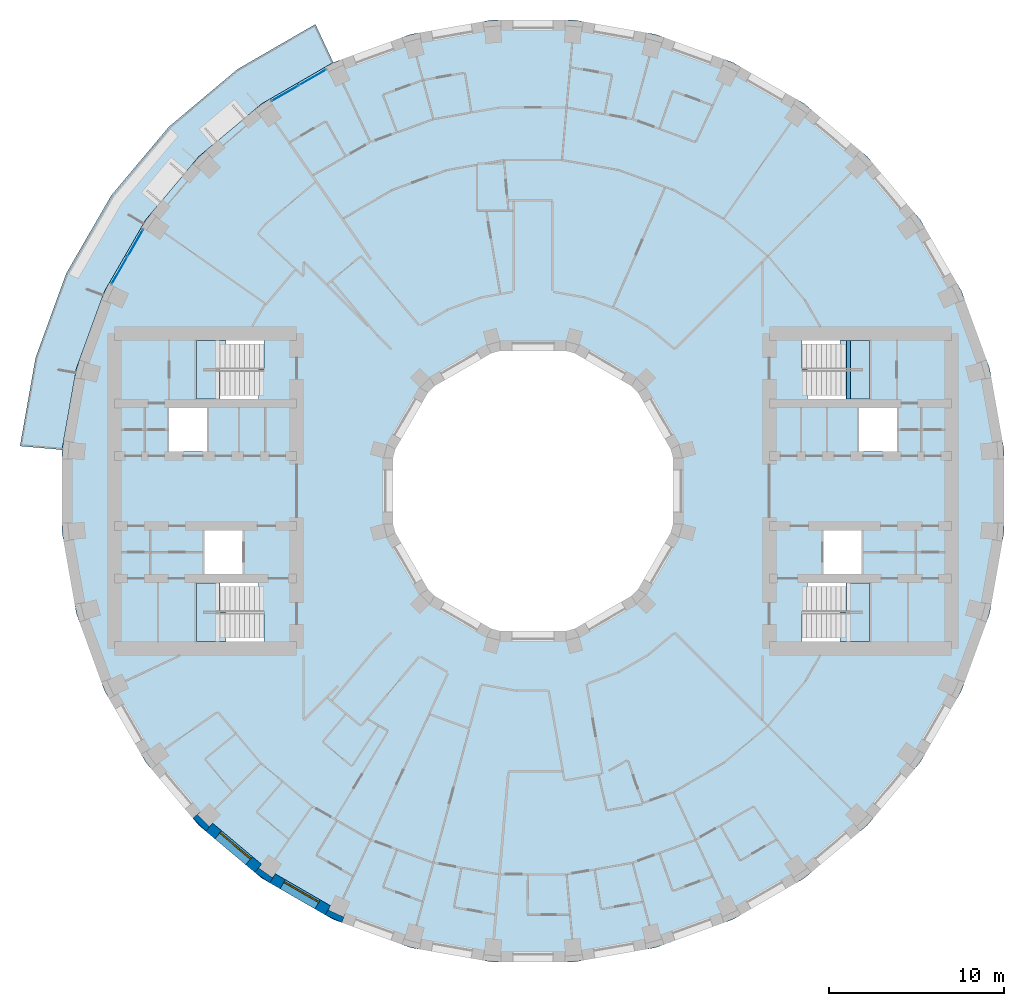
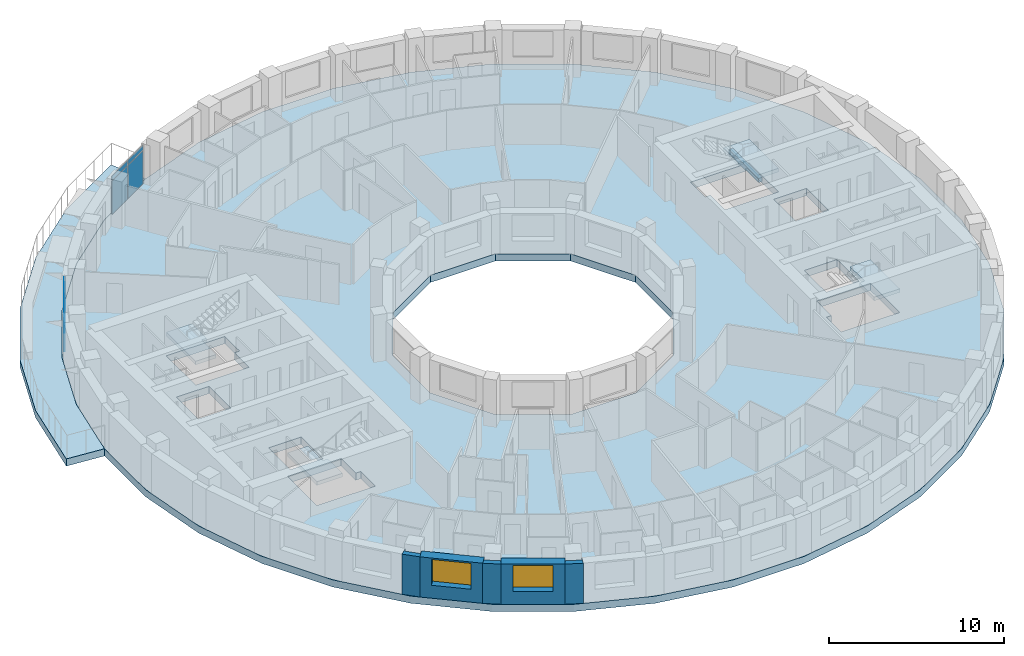
# One storey, part 3 of 14: 8 plates, 6 slabs, 5 walls, 2 windows, 1 beam, 2 openings, 6 elements without a shape of their own.
"""IFC4 building model written with IfcOpenShell, lengths in metres."""

from ifc_helpers import new_model, si_unit, direction, frame, frame_2d, origin, origin_2d, place, context, subcontext, project, spatial, polyline, rectangle, outline, extrude, material, layer, layer_set, material_profile, profile_set, type_object, element, fill, aggregate, save


model = new_model("IFC4")

# Units and contexts
model_context = context("Model", 3, precision=1e-05, world=origin(), true_north=direction((0.0, 1.0)))
body_context = subcontext(model_context, "Body", "Model", "MODEL_VIEW")
ifc_project = project(units=[si_unit("LENGTHUNIT", "METRE"), si_unit("AREAUNIT", "SQUARE_METRE"), si_unit("VOLUMEUNIT", "CUBIC_METRE"), si_unit("PLANEANGLEUNIT", "RADIAN"), si_unit("MASSUNIT", "GRAM", prefix="KILO")], contexts=[model_context])

# Site, building, storey
site_placement = place(None, origin())
site = spatial("IfcSite", under=ifc_project, at=site_placement, CompositionType="ELEMENT")
building_placement = place(site_placement, origin())
building = spatial("IfcBuilding", under=site, at=building_placement, Name="Saqina Gate Tower", CompositionType="ELEMENT")
storey_placement = place(building_placement, frame((0.0, 0.0, 101.800048828125)))
storey = spatial("IfcBuildingStorey", under=building, at=storey_placement, Name="L28", CompositionType="ELEMENT", Elevation=101.800048828125)

# Beam
ifc_material_1 = material(Name="Concrete C40/50", Category="concrete")
ifc_material_profile = material_profile(ifc_material_1, rectangle(XDim=0.25, YDim=0.300048828125, at=origin_2d()), Name="STAIR LANDING BEAM")
ifc_profile_set = profile_set([ifc_material_profile], Name="Concrete C40/50")
beam_type = type_object("IfcBeamType", Name="STAIR LANDING BEAM", PredefinedType="BEAM", material=ifc_profile_set)
beam_placement = place(storey_placement, frame((18.02001953125, 5.25, 1.25), z_axis=(0.0, 1.0, 0.0), x_axis=(-1.0, 0.0, 0.0)))
element("IfcBeam", 1, at=beam_placement, inside=storey, type_object=beam_type, Name="EXIT STAIR 1 LANDING BEAM", PredefinedType="BEAM", context=body_context, shape_type="SweptSolid", body=[
    extrude(rectangle(XDim=0.25, YDim=0.300048828125, at=origin_2d()), origin(), (0.0, 0.0, 1.0), 3.35009765625),
])

# Curtain wall, plates
ifc_material_2 = material(Name="Aluminium glazing", Category="aluminium")
ifc_layer_1 = layer(ifc_material_2, 0.159912109375)
ifc_layer_set_1 = layer_set([ifc_layer_1], Name="CWT-4")
curtain_wall_type = type_object("IfcCurtainWallType", Name="CWT-4", PredefinedType="NOTDEFINED", material=ifc_layer_set_1)
curtain_wall_1_placement = place(storey_placement, origin())
curtain_wall_1 = element("IfcCurtainWall", 2, at=curtain_wall_1_placement, inside=storey, type_object=curtain_wall_type, Name="Terrace lounge glazing facet 12", PredefinedType="NOTDEFINED")
ifc_material_3 = material(Name="Glass", Category="glass")
ifc_layer_2 = layer(ifc_material_3, 0.028076171875)
ifc_layer_set_2 = layer_set([ifc_layer_2], Name="CWT-4P")
plate_type = type_object("IfcPlateType", Name="CWT-4P", PredefinedType="CURTAIN_PANEL", material=ifc_layer_set_2)
plate_1_placement = place(storey_placement, frame((-12.596923828125, 23.6123046875, 0.059814453125), z_axis=(0.0, 0.0, 1.0), x_axis=(-0.86602626266, -0.499998512381, 0.0)))
plate_1 = element("IfcPlate", 3, at=plate_1_placement, type_object=plate_type, Name="CW4-12 panel 1.1", PredefinedType="CURTAIN_PANEL", context=body_context, shape_type="SweptSolid", body=[
    extrude(rectangle(XDim=1.73388671875, YDim=0.028076171875, at=origin_2d()), origin(), (0.0, 0.0, 1.0), 2.31005859375),
])
plate_2_placement = place(storey_placement, frame((-12.596923828125, 23.6123046875, 2.429931640625), z_axis=(0.0, 0.0, 1.0), x_axis=(-0.86602626266, -0.499998512381, 0.0)))
plate_2 = element("IfcPlate", 4, at=plate_2_placement, type_object=plate_type, Name="CW4-12 panel 1.2", PredefinedType="CURTAIN_PANEL", context=body_context, shape_type="SweptSolid", body=[
    extrude(rectangle(XDim=1.73388671875, YDim=0.028076171875, at=origin_2d()), origin(), (0.0, 0.0, 1.0), 0.31005859375),
])
plate_3_placement = place(storey_placement, frame((-14.150390625, 22.71533203125, 0.059814453125), z_axis=(0.0, 0.0, 1.0), x_axis=(-0.86602626266, -0.499998512381, 0.0)))
plate_3 = element("IfcPlate", 5, at=plate_3_placement, type_object=plate_type, Name="CW4-12 panel 2.1", PredefinedType="CURTAIN_PANEL", context=body_context, shape_type="SweptSolid", body=[
    extrude(rectangle(XDim=1.73388671875, YDim=0.028076171875, at=origin_2d()), origin(), (0.0, 0.0, 1.0), 2.31005859375),
])
plate_4_placement = place(storey_placement, frame((-14.150390625, 22.71533203125, 2.429931640625), z_axis=(0.0, 0.0, 1.0), x_axis=(-0.86602626266, -0.499998512381, 0.0)))
plate_4 = element("IfcPlate", 6, at=plate_4_placement, type_object=plate_type, Name="CW4-12 panel 2.2", PredefinedType="CURTAIN_PANEL", context=body_context, shape_type="SweptSolid", body=[
    extrude(rectangle(XDim=1.73388671875, YDim=0.028076171875, at=origin_2d()), origin(), (0.0, 0.0, 1.0), 0.31005859375),
])
aggregate(curtain_wall_1, [plate_1, plate_2, plate_3, plate_4])

curtain_wall_2_placement = place(storey_placement, origin())
curtain_wall_2 = element("IfcCurtainWall", 7, at=curtain_wall_2_placement, inside=storey, type_object=curtain_wall_type, Name="Terrace lounge glazing facet 15", PredefinedType="NOTDEFINED")
plate_5_placement = place(storey_placement, frame((-22.71533203125, 14.150390625, 0.059814453125), z_axis=(0.0, 0.0, 1.0), x_axis=(-0.499998512381, -0.86602626266, 0.0)))
plate_5 = element("IfcPlate", 8, at=plate_5_placement, type_object=plate_type, Name="CW4-15 panel 1.1", PredefinedType="CURTAIN_PANEL", context=body_context, shape_type="SweptSolid", body=[
    extrude(rectangle(XDim=1.73388671875, YDim=0.028076171875, at=origin_2d()), origin(), (0.0, 0.0, 1.0), 2.31005859375),
])
plate_6_placement = place(storey_placement, frame((-22.71533203125, 14.150390625, 2.429931640625), z_axis=(0.0, 0.0, 1.0), x_axis=(-0.499998512381, -0.86602626266, 0.0)))
plate_6 = element("IfcPlate", 9, at=plate_6_placement, type_object=plate_type, Name="CW4-15 panel 1.2", PredefinedType="CURTAIN_PANEL", context=body_context, shape_type="SweptSolid", body=[
    extrude(rectangle(XDim=1.73388671875, YDim=0.028076171875, at=origin_2d()), origin(), (0.0, 0.0, 1.0), 0.31005859375),
])
plate_7_placement = place(storey_placement, frame((-23.6123046875, 12.596923828125, 0.059814453125), z_axis=(0.0, 0.0, 1.0), x_axis=(-0.499998512381, -0.86602626266, 0.0)))
plate_7 = element("IfcPlate", 10, at=plate_7_placement, type_object=plate_type, Name="CW4-15 panel 2.1", PredefinedType="CURTAIN_PANEL", context=body_context, shape_type="SweptSolid", body=[
    extrude(rectangle(XDim=1.73388671875, YDim=0.028076171875, at=origin_2d()), origin(), (0.0, 0.0, 1.0), 2.31005859375),
])
plate_8_placement = place(storey_placement, frame((-23.6123046875, 12.596923828125, 2.429931640625), z_axis=(0.0, 0.0, 1.0), x_axis=(-0.499998512381, -0.86602626266, 0.0)))
plate_8 = element("IfcPlate", 11, at=plate_8_placement, type_object=plate_type, Name="CW4-15 panel 2.2", PredefinedType="CURTAIN_PANEL", context=body_context, shape_type="SweptSolid", body=[
    extrude(rectangle(XDim=1.73388671875, YDim=0.028076171875, at=origin_2d()), origin(), (0.0, 0.0, 1.0), 0.31005859375),
])
aggregate(curtain_wall_2, [plate_5, plate_6, plate_7, plate_8])

# Stair, slab
ifc_material_4 = material(Name="Concrete C40/50", Category="concrete")
stair_type = type_object("IfcStairType", Name="EXIT STAIR", PredefinedType="HALF_TURN_STAIR", material=ifc_material_4)
stair_1_placement = place(storey_placement, origin())
stair_1 = element("IfcStair", 12, at=stair_1_placement, inside=storey, type_object=stair_type, Name="EXIT STAIR 1", PredefinedType="HALF_TURN_STAIR")
ifc_material_5 = material(Name="Concrete C40/50", Category="concrete")
ifc_layer_3 = layer(ifc_material_5, 0.25)
ifc_layer_set_3 = layer_set([ifc_layer_3], Name="Concrete C40/50")
slab_type_1 = type_object("IfcSlabType", Name="EXIT STAIR LANDING", PredefinedType="LANDING", material=ifc_layer_set_3)
slab_1_placement = place(storey_placement, frame((0.0, 0.0, 1.39990234375)))
slab_1 = element("IfcSlab", 13, at=slab_1_placement, type_object=slab_type_1, Name="EXIT STAIR 1 LANDING 1", PredefinedType="LANDING", context=body_context, shape_type="SweptSolid", body=[
    extrude(outline(polyline([(19.219970703125, 8.60009765625), (19.219970703125, 5.25), (17.864990234375, 5.25), (17.864990234375, 6.925048828125), (17.534423828125, 6.925048828125), (17.534423828125, 8.60009765625), (17.864990234375, 8.60009765625), (17.8701171875, 8.60009765625), (19.219970703125, 8.60009765625)])), origin(), (0.0, 0.0, 1.0), 0.25),
])
aggregate(stair_1, [slab_1])

stair_2_placement = place(storey_placement, origin())
stair_2 = element("IfcStair", 14, at=stair_2_placement, inside=storey, type_object=stair_type, Name="EXIT STAIR 2", PredefinedType="HALF_TURN_STAIR")
slab_2_placement = place(storey_placement, frame((0.0, 0.0, 1.39990234375)))
slab_2 = element("IfcSlab", 15, at=slab_2_placement, type_object=slab_type_1, Name="EXIT STAIR 2 LANDING 1", PredefinedType="LANDING", context=body_context, shape_type="SweptSolid", body=[
    extrude(outline(polyline([(17.534423828125, -8.60009765625), (17.534423828125, -6.925048828125), (17.864990234375, -6.925048828125), (17.864990234375, -5.25), (19.219970703125, -5.25), (19.219970703125, -8.60009765625), (17.8701171875, -8.60009765625), (17.864990234375, -8.60009765625), (17.534423828125, -8.60009765625)])), origin(), (0.0, 0.0, 1.0), 0.25),
])
aggregate(stair_2, [slab_2])

stair_3_placement = place(storey_placement, origin())
stair_3 = element("IfcStair", 16, at=stair_3_placement, inside=storey, type_object=stair_type, Name="EXIT STAIR 3", PredefinedType="HALF_TURN_STAIR")
slab_3_placement = place(storey_placement, frame((0.0, 0.0, 1.39990234375)))
slab_3 = element("IfcSlab", 17, at=slab_3_placement, type_object=slab_type_1, Name="EXIT STAIR 3 LANDING 1", PredefinedType="LANDING", context=body_context, shape_type="SweptSolid", body=[
    extrude(outline(polyline([(-17.864990234375, 5.25), (-19.219970703125, 5.25), (-19.219970703125, 8.60009765625), (-17.8701171875, 8.60009765625), (-17.864990234375, 8.60009765625), (-17.534423828125, 8.60009765625), (-17.534423828125, 6.925048828125), (-17.864990234375, 6.925048828125), (-17.864990234375, 5.25)])), origin(), (0.0, 0.0, 1.0), 0.25),
])
aggregate(stair_3, [slab_3])

stair_4_placement = place(storey_placement, origin())
stair_4 = element("IfcStair", 18, at=stair_4_placement, inside=storey, type_object=stair_type, Name="EXIT STAIR 4", PredefinedType="HALF_TURN_STAIR")
slab_4_placement = place(storey_placement, frame((0.0, 0.0, 1.39990234375)))
slab_4 = element("IfcSlab", 19, at=slab_4_placement, type_object=slab_type_1, Name="EXIT STAIR 4 LANDING 1", PredefinedType="LANDING", context=body_context, shape_type="SweptSolid", body=[
    extrude(outline(polyline([(-17.534423828125, -6.925048828125), (-17.534423828125, -8.60009765625), (-17.864990234375, -8.60009765625), (-17.8701171875, -8.60009765625), (-19.219970703125, -8.60009765625), (-19.219970703125, -5.25), (-17.864990234375, -5.25), (-17.864990234375, -6.925048828125), (-17.534423828125, -6.925048828125)])), origin(), (0.0, 0.0, 1.0), 0.25),
])
aggregate(stair_4, [slab_4])

# Slabs
ifc_material_6 = material(Name="Concrete C40/50", Category="concrete")
ifc_layer_4 = layer(ifc_material_6, 0.5)
ifc_layer_set_4 = layer_set([ifc_layer_4], Name="Concrete C40/50")
slab_type_2 = type_object("IfcSlabType", Name="STR-POST-TENSIONED FLAT PLATE FLOOR-500", PredefinedType="FLOOR", material=ifc_layer_set_4)
slab_5_placement = place(storey_placement, frame((0.0, 0.0, -0.5)))
element("IfcSlab", 20, at=slab_5_placement, inside=storey, type_object=slab_type_2, Name="L28-SLB01", PredefinedType="FLOOR", context=body_context, shape_type="SweptSolid", body=[
    extrude(outline(polyline([(26.080078125, -6.988037109375), (26.897216796875, -2.353271484375), (26.897216796875, 2.353271484375), (26.080078125, 6.988037109375), (24.47021484375, 11.41064453125), (22.1171875, 15.486572265625), (19.091796875, 19.091796875), (15.486572265625, 22.1171875), (11.41064453125, 24.47021484375), (6.988037109375, 26.080078125), (2.353271484375, 26.897216796875), (-2.353271484375, 26.897216796875), (-6.988037109375, 26.080078125), (-11.41064453125, 24.47021484375), (-15.486572265625, 22.1171875), (-19.091796875, 19.091796875), (-22.1171875, 15.486572265625), (-24.47021484375, 11.41064453125), (-26.080078125, 6.988037109375), (-26.897216796875, 2.353271484375), (-26.897216796875, -2.353271484375), (-26.080078125, -6.988037109375), (-24.47021484375, -11.41064453125), (-22.1171875, -15.486572265625), (-19.091796875, -19.091796875), (-15.486572265625, -22.1171875), (-11.41064453125, -24.47021484375), (-6.988037109375, -26.080078125), (-2.353271484375, -26.897216796875), (2.353271484375, -26.897216796875), (6.988037109375, -26.080078125), (11.41064453125, -24.47021484375), (15.486572265625, -22.1171875), (19.091796875, -19.091796875), (22.1171875, -15.486572265625), (24.47021484375, -11.41064453125), (26.080078125, -6.988037109375)]), holes=[polyline([(2.1435546875, 8.0), (5.8564453125, 5.8564453125), (8.0, 2.1435546875), (8.0, -2.1435546875), (5.8564453125, -5.8564453125), (2.1435546875, -8.0), (-2.1435546875, -8.0), (-5.8564453125, -5.8564453125), (-8.0, -2.1435546875), (-8.0, 2.1435546875), (-5.8564453125, 5.8564453125), (-2.1435546875, 8.0), (2.1435546875, 8.0)]), polyline([(-15.35498046875, -8.60009765625), (-19.219970703125, -8.60009765625), (-19.219970703125, -6.925048828125), (-19.219970703125, -5.25), (-15.685546875, -5.25), (-15.685546875, -6.925048828125), (-15.35498046875, -6.925048828125), (-15.35498046875, -8.60009765625)]), polyline([(-16.590087890625, -2.25), (-16.590087890625, -4.75), (-18.75, -4.75), (-18.75, -2.25), (-16.590087890625, -2.25)]), polyline([(-20.780029296875, 4.75), (-18.6201171875, 4.75), (-18.6201171875, 2.25), (-20.780029296875, 2.25), (-20.780029296875, 4.75)]), polyline([(-19.219970703125, 6.925048828125), (-19.219970703125, 8.60009765625), (-15.35498046875, 8.60009765625), (-15.35498046875, 6.925048828125), (-15.685546875, 6.925048828125), (-15.685546875, 5.25), (-19.219970703125, 5.25), (-19.219970703125, 6.925048828125)]), polyline([(15.35498046875, -8.60009765625), (15.35498046875, -6.925048828125), (15.685546875, -6.925048828125), (15.685546875, -5.25), (19.219970703125, -5.25), (19.219970703125, -6.925048828125), (19.219970703125, -8.60009765625), (15.35498046875, -8.60009765625)]), polyline([(18.75, -2.25), (18.75, -4.75), (16.590087890625, -4.75), (16.590087890625, -2.25), (18.75, -2.25)]), polyline([(18.6201171875, 4.75), (20.780029296875, 4.75), (20.780029296875, 2.25), (18.6201171875, 2.25), (18.6201171875, 4.75)]), polyline([(15.685546875, 6.925048828125), (15.35498046875, 6.925048828125), (15.35498046875, 8.60009765625), (19.219970703125, 8.60009765625), (19.219970703125, 6.925048828125), (19.219970703125, 5.25), (15.685546875, 5.25), (15.685546875, 6.925048828125)])]), origin(), (0.0, 0.0, 1.0), 0.5),
])
ifc_material_7 = material(Name="Concrete C40/50", Category="concrete")
ifc_layer_5 = layer(ifc_material_7, 0.5)
ifc_layer_set_5 = layer_set([ifc_layer_5], Name="Concrete C40/50")
slab_type_3 = type_object("IfcSlabType", Name="STR-POST-TENSIONED FLAT PLATE TERRACE-500", PredefinedType="FLOOR", material=ifc_layer_set_5)
slab_6_placement = place(storey_placement, frame((0.0, 0.0, -0.5)))
element("IfcSlab", 21, at=slab_6_placement, inside=storey, type_object=slab_type_3, Name="L28-TRS01", PredefinedType="FLOOR", context=body_context, shape_type="SweptSolid", body=[
    extrude(outline(polyline([(-11.41064453125, 24.47021484375), (-15.486572265625, 22.1171875), (-19.091796875, 19.091796875), (-22.1171875, 15.486572265625), (-24.47021484375, 11.41064453125), (-26.080078125, 6.988037109375), (-26.897216796875, 2.353271484375), (-29.29736328125, 2.563232421875), (-28.406982421875, 7.611572265625), (-26.65380859375, 12.428955078125), (-24.090576171875, 16.868408203125), (-20.79541015625, 20.79541015625), (-16.868408203125, 24.090576171875), (-12.428955078125, 26.65380859375), (-11.41064453125, 24.47021484375)])), origin(), (0.0, 0.0, 1.0), 0.5),
])

# Walls
ifc_material_8 = material(Name="Brick masonry (buff)", Category="masonry")
wall_type_1 = type_object("IfcWallType", Name="BRICK PIER COPING BUFF", PredefinedType="SOLIDWALL", material=ifc_material_8)
wall_1_placement = place(storey_placement, origin())
element("IfcWall", 22, at=wall_1_placement, inside=storey, type_object=wall_type_1, Name="Pier cap L28 column 23", PredefinedType="SOLIDWALL", context=body_context, shape_type="SweptSolid", body=[
    extrude(outline(polyline([(-19.43212890625, -18.686279296875), (-18.686279296875, -19.43212890625), (-18.30078125, -18.972412109375), (-18.49072265625, -19.16259765625), (-19.16259765625, -18.49072265625), (-18.972412109375, -18.30078125), (-19.43212890625, -18.686279296875)])), origin(), (0.0, 0.0, 1.0), 2.800048828125),
])
wall_2_placement = place(storey_placement, origin())
element("IfcWall", 23, at=wall_2_placement, inside=storey, type_object=wall_type_1, Name="Pier cap L28 column 24", PredefinedType="SOLIDWALL", context=body_context, shape_type="SweptSolid", body=[
    extrude(outline(polyline([(-15.0283203125, -22.3818359375), (-14.728271484375, -21.862060546875), (-14.88232421875, -22.08251953125), (-15.66064453125, -21.53759765625), (-15.50634765625, -21.317138671875), (-15.89208984375, -21.77685546875), (-15.0283203125, -22.3818359375)])), origin(), (0.0, 0.0, 1.0), 2.800048828125),
])
wall_3_placement = place(storey_placement, origin())
element("IfcWall", 24, at=wall_3_placement, inside=storey, type_object=wall_type_1, Name="Pier cap L28 column 25", PredefinedType="SOLIDWALL", context=body_context, shape_type="SweptSolid", body=[
    extrude(outline(polyline([(-10.913330078125, -24.6513671875), (-10.7080078125, -24.08740234375), (-10.82177734375, -24.331298828125), (-11.6826171875, -23.9296875), (-11.569091796875, -23.68603515625), (-11.869140625, -24.205810546875), (-10.913330078125, -24.6513671875)])), origin(), (0.0, 0.0, 1.0), 2.800048828125),
])

# Wall, opening, window
ifc_material_9 = material(Name="Brick masonry (buff)", Category="masonry")
ifc_layer_6 = layer(ifc_material_9, 0.60009765625)
ifc_layer_set_6 = layer_set([ifc_layer_6], Name="FW-BRICK-BUFF")
wall_type_2 = type_object("IfcWallType", Name="FW-BRICK-BUFF", PredefinedType="SOLIDWALL", material=ifc_layer_set_6)
wall_4_placement = place(storey_placement, frame((-18.49365234375, -19.202392578125, 0.0), z_axis=(0.0, 0.0, 1.0), x_axis=(0.766055462616, -0.642774476932, 0.0)))
wall_4 = element("IfcWall", 25, at=wall_4_placement, inside=storey, type_object=wall_type_2, Name="Facade wall L28 facet 23", PredefinedType="SOLIDWALL", context=body_context, shape_type="SweptSolid", body=[
    extrude(rectangle(XDim=3.647705078125, YDim=0.60009765625, at=frame_2d((1.82373046875, 0.0))), origin(), (0.0, 0.0, 1.0), 2.800048828125),
])
opening_1_placement = place(wall_4_placement, frame((0.673828125, 0.0, 0.89990234375)))
opening_1 = element("IfcOpeningElement", 26, at=opening_1_placement, cuts=wall_4, Name="Opening G08-W12", PredefinedType="OPENING", context=body_context, shape_type="SweptSolid", body=[
    extrude(rectangle(XDim=2.300048828125, YDim=1.800048828125, at=frame_2d((1.14990234375, 0.89990234375))), frame((0.0, 0.31201171875, 0.0), z_axis=(0.0, -1.0, 0.0), x_axis=(1.0, 0.0, 0.0)), (0.0, 0.0, 1.0), 0.6240234375),
])
ifc_material_10 = material(Name="Aluminium glazing", Category="aluminium")
window_type = type_object("IfcWindowType", Name="WN-B", PartitioningType="SINGLE_PANEL", PredefinedType="WINDOW", material=ifc_material_10)
window_1_placement = place(opening_1_placement, origin())
window_1 = element("IfcWindow", 27, at=window_1_placement, inside=storey, type_object=window_type, Name="Window L28 facet 23", OverallHeight=1.800048828125, OverallWidth=2.300048828125, PartitioningType="SINGLE_PANEL", PredefinedType="WINDOW", context=body_context, shape_type="SweptSolid", body=[
    extrude(rectangle(XDim=2.300048828125, YDim=1.800048828125, at=frame_2d((1.14990234375, 0.89990234375))), frame((0.0, 0.179931640625, 0.0), z_axis=(0.0, -1.0, 0.0), x_axis=(1.0, 0.0, 0.0)), (0.0, 0.0, 1.0), 0.06005859375),
])
fill(opening_1, window_1)

wall_5_placement = place(storey_placement, frame((-14.878173828125, -22.1220703125, 0.0), z_axis=(0.0, 0.0, 1.0), x_axis=(0.866051847062, -0.499954196102, 0.0)))
wall_5 = element("IfcWall", 28, at=wall_5_placement, inside=storey, type_object=wall_type_2, Name="Facade wall L28 facet 24", PredefinedType="SOLIDWALL", context=body_context, shape_type="SweptSolid", body=[
    extrude(rectangle(XDim=3.647705078125, YDim=0.60009765625, at=frame_2d((1.82373046875, 0.0))), origin(), (0.0, 0.0, 1.0), 2.800048828125),
])
opening_2_placement = place(wall_5_placement, frame((0.673828125, 0.0, 0.89990234375)))
opening_2 = element("IfcOpeningElement", 29, at=opening_2_placement, cuts=wall_5, Name="Opening G08-W13", PredefinedType="OPENING", context=body_context, shape_type="SweptSolid", body=[
    extrude(rectangle(XDim=2.300048828125, YDim=1.800048828125, at=frame_2d((1.14990234375, 0.89990234375))), frame((0.0, 0.31201171875, 0.0), z_axis=(0.0, -1.0, 0.0), x_axis=(1.0, 0.0, 0.0)), (0.0, 0.0, 1.0), 0.6240234375),
])
window_2_placement = place(opening_2_placement, origin())
window_2 = element("IfcWindow", 30, at=window_2_placement, inside=storey, type_object=window_type, Name="Window L28 facet 24", OverallHeight=1.800048828125, OverallWidth=2.300048828125, PartitioningType="SINGLE_PANEL", PredefinedType="WINDOW", context=body_context, shape_type="SweptSolid", body=[
    extrude(rectangle(XDim=2.300048828125, YDim=1.800048828125, at=frame_2d((1.14990234375, 0.89990234375))), frame((0.0, 0.179931640625, 0.0), z_axis=(0.0, -1.0, 0.0), x_axis=(1.0, 0.0, 0.0)), (0.0, 0.0, 1.0), 0.06005859375),
])
fill(opening_2, window_2)

save(model, "model.ifc")
